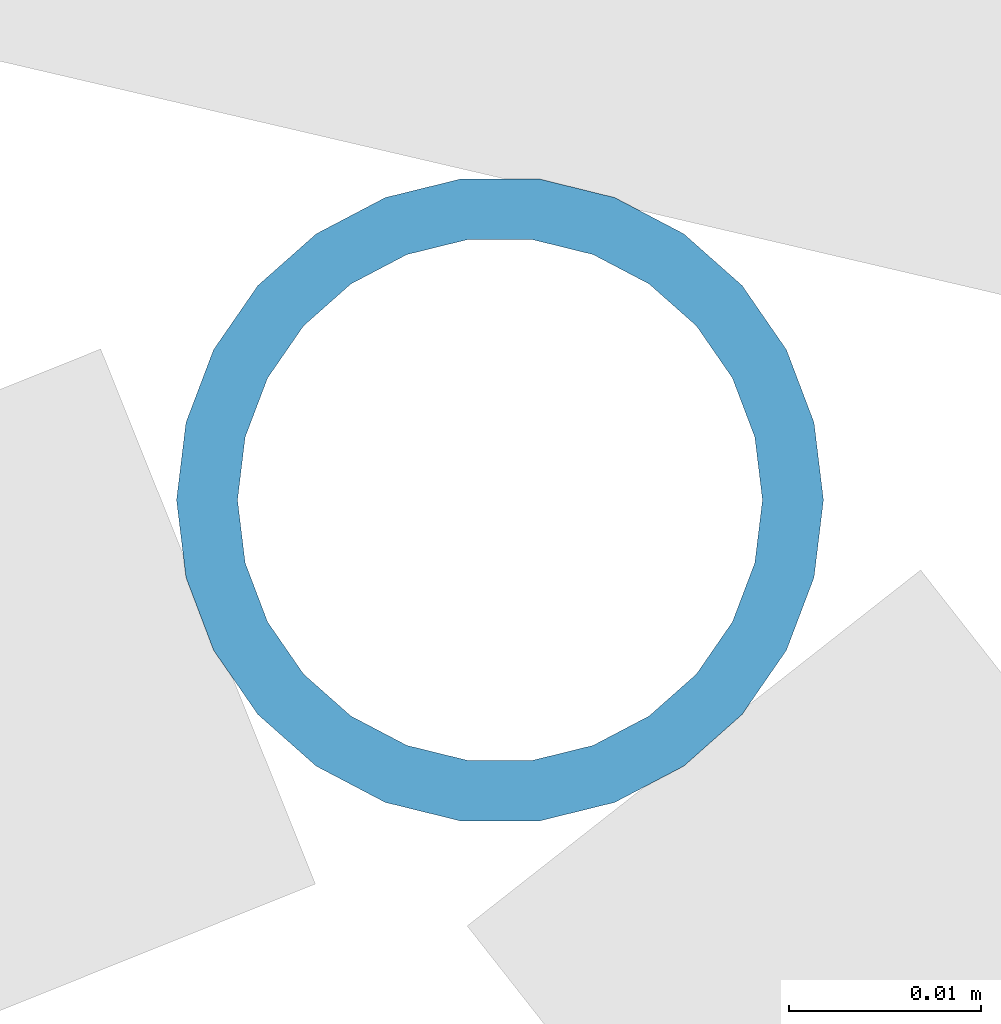
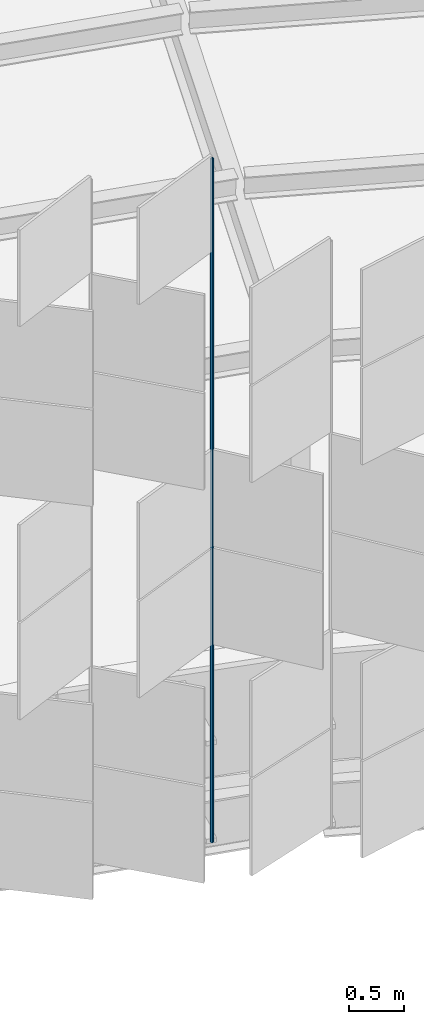
# One storey, part 246 of 483: 1 discrete accessory.
"""IFC4 building model written with IfcOpenShell, lengths in metres."""

from ifc_helpers import new_model, si_unit, direction, frame, origin, origin_2d, place, context, subcontext, project, spatial, hollow_circle, extrude, material, material_profile, profile_set, type_object, element, save


model = new_model("IFC4")

# Units and contexts
model_context = context("Model", 3, precision=1e-05, world=origin(), true_north=direction((0.0, 1.0)))
body_context = subcontext(model_context, "Body", "Model", "MODEL_VIEW")
ifc_project = project(units=[si_unit("LENGTHUNIT", "METRE"), si_unit("AREAUNIT", "SQUARE_METRE"), si_unit("VOLUMEUNIT", "CUBIC_METRE"), si_unit("PLANEANGLEUNIT", "RADIAN"), si_unit("MASSUNIT", "GRAM", prefix="KILO")], contexts=[model_context])

# Site, building, storey
site_placement = place(None, origin())
site = spatial("IfcSite", under=ifc_project, at=site_placement, CompositionType="ELEMENT")
building_placement = place(site_placement, origin())
building = spatial("IfcBuilding", under=site, at=building_placement, Name="Parallax Yard Mobility Hub", CompositionType="ELEMENT")
storey_placement = place(building_placement, frame((0.0, 0.0, 13.199951171875)))
storey = spatial("IfcBuildingStorey", under=building, at=storey_placement, Name="L04", CompositionType="ELEMENT", Elevation=13.199951171875)

# Discrete accessory
ifc_material = material(Name="Steel ASTM A500 Gr C, hot-dip galvanised", Category="steel")
ifc_material_profile = material_profile(ifc_material, hollow_circle(Radius=0.016845703125, WallThickness=0.003173828125, at=origin_2d()), Name="CHS 33.7x3.2")
ifc_profile_set = profile_set([ifc_material_profile], Name="Steel ASTM A500 Gr C, hot-dip galvanised")
discrete_accessory_type = type_object("IfcDiscreteAccessoryType", Name="Hinge post CHS 33.7x3.2", PredefinedType="BRACKET", material=ifc_profile_set)
discrete_accessory_placement = place(storey_placement, frame((178.085693359375, 110.761962890625, 0.0), z_axis=(0.0, 0.0, 1.0), x_axis=(1.0, 0.0, 0.0)))
element("IfcDiscreteAccessory", 1, at=discrete_accessory_placement, inside=storey, type_object=discrete_accessory_type, Name="Hinge post bay 18.6 level L04", PredefinedType="BRACKET", context=body_context, shape_type="SweptSolid", body=[
    extrude(hollow_circle(Radius=0.016845703125, WallThickness=0.003173828125, at=origin_2d()), origin(), (0.0, 0.0, 1.0), 7.650146484375),
])

save(model, "model.ifc")
